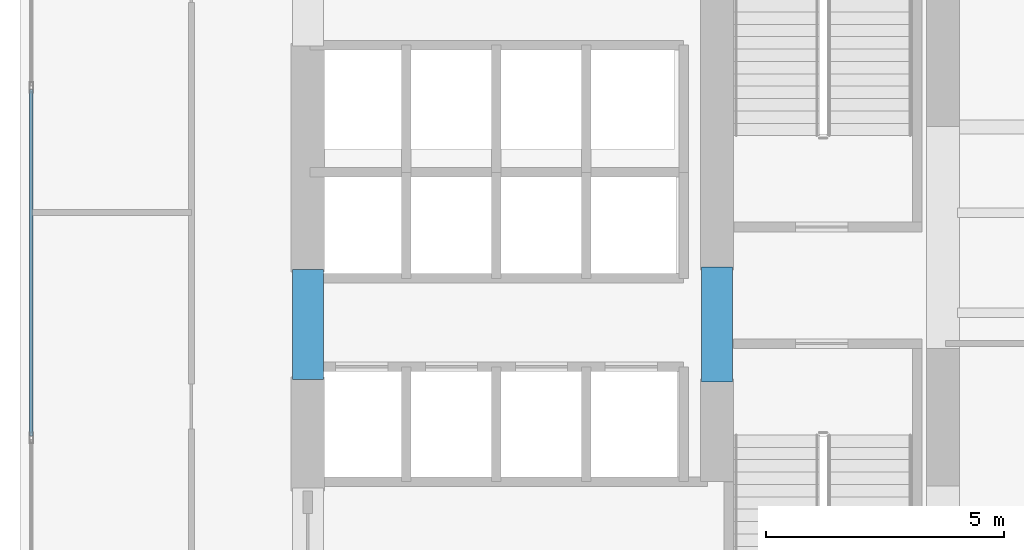
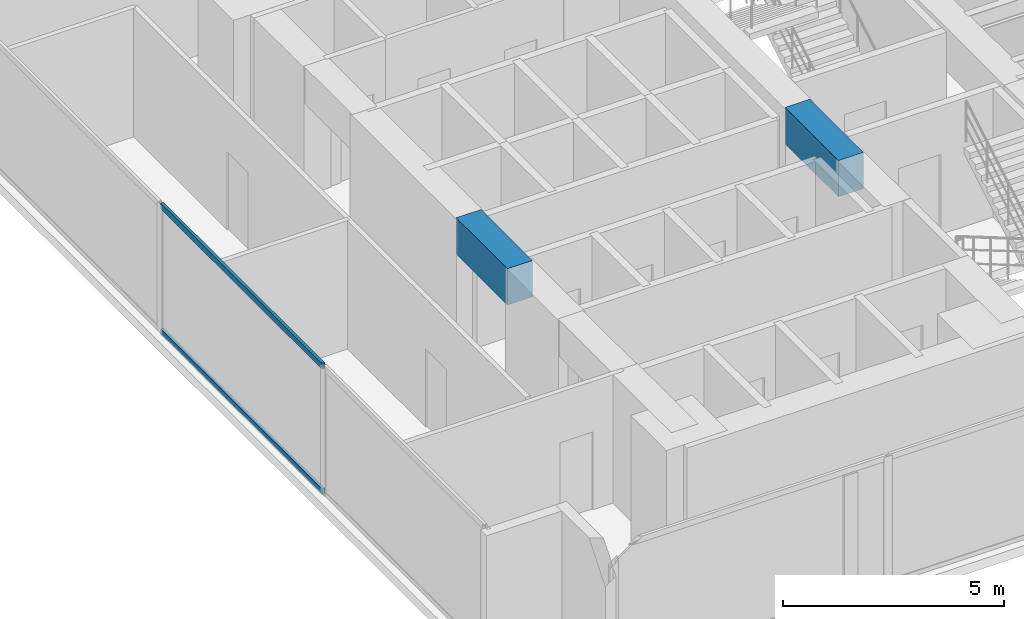
# One storey, part 3 of 29: 2 beams, 2 members, 1 element without a shape of its own.
"""IFC4 building model written with IfcOpenShell, lengths in metres."""

from ifc_helpers import new_model, si_unit, direction, frame, origin, origin_with_axes, origin_2d, place, context, subcontext, project, spatial, rectangle, hollow_rectangle, extrude, source, transform, mapped, material, layer, layer_set, material_profile, profile_set, type_object, element, aggregate, save


model = new_model("IFC4")

# Units and contexts
model_context = context("Model", 3, precision=1e-05, world=origin(), true_north=direction((0.0, 1.0)))
body_context = subcontext(model_context, "Body", "Model", "MODEL_VIEW")
ifc_project = project(units=[si_unit("LENGTHUNIT", "METRE"), si_unit("AREAUNIT", "SQUARE_METRE"), si_unit("VOLUMEUNIT", "CUBIC_METRE"), si_unit("PLANEANGLEUNIT", "RADIAN"), si_unit("MASSUNIT", "GRAM", prefix="KILO")], contexts=[model_context])

# Site, building, storey
site_placement = place(None, origin())
site = spatial("IfcSite", under=ifc_project, at=site_placement, CompositionType="ELEMENT")
building_placement = place(site_placement, origin())
building = spatial("IfcBuilding", under=site, at=building_placement, Name="Kolvaren Waterfront Exchange", CompositionType="ELEMENT")
storey_placement = place(building_placement, frame((0.0, 0.0, 37.199951171875)))
storey = spatial("IfcBuildingStorey", under=building, at=storey_placement, Name="L09", CompositionType="ELEMENT", Elevation=37.199951171875)

# Beams
ifc_material_1 = material(Name="Concrete C60/75", Category="concrete")
ifc_material_profile_1 = material_profile(ifc_material_1, rectangle(XDim=0.64990234375, YDim=1.0, at=origin_2d()), Name="RC-CB-1000x650")
ifc_profile_set_1 = profile_set([ifc_material_profile_1], Name="Concrete C60/75")
beam_type = type_object("IfcBeamType", Name="STR-CB-1000", PredefinedType="SPANDREL", material=ifc_profile_set_1)
beam_1_placement = place(storey_placement, frame((7.449951171875, 12.090087890625, 3.0400390625), z_axis=(0.0, 1.0, 0.0), x_axis=(-1.0, 0.0, 0.0)))
element("IfcBeam", 1, at=beam_1_placement, inside=storey, type_object=beam_type, Name="L09 core coupling beam 4", PredefinedType="SPANDREL", context=body_context, shape_type="SweptSolid", body=[
    extrude(rectangle(XDim=0.64990234375, YDim=1.0, at=origin_2d()), origin(), (0.0, 0.0, 1.0), 2.31982421875),
])
beam_2_placement = place(storey_placement, frame((16.050048828125, 12.0400390625, 3.0400390625), z_axis=(0.0, 1.0, 0.0), x_axis=(-1.0, 0.0, 0.0)))
element("IfcBeam", 2, at=beam_2_placement, inside=storey, type_object=beam_type, Name="L09 core coupling beam 6", PredefinedType="SPANDREL", context=body_context, shape_type="SweptSolid", body=[
    extrude(rectangle(XDim=0.64990234375, YDim=1.0, at=origin_2d()), origin(), (0.0, 0.0, 1.0), 2.419921875),
])

# Curtain wall, members
ifc_material_2 = material(Name="Anodised aluminium 6063-T6", Category="aluminium")
ifc_layer = layer(ifc_material_2, 0.219970703125, Name="Anodised aluminium 6063-T6")
ifc_layer_set = layer_set([ifc_layer], Name="Anodised aluminium 6063-T6")
curtain_wall_type = type_object("IfcCurtainWallType", Name="ARC-CW-SYS2", PredefinedType="USERDEFINED", material=ifc_layer_set)
curtain_wall_placement = place(storey_placement, origin())
curtain_wall = element("IfcCurtainWall", 3, at=curtain_wall_placement, inside=storey, type_object=curtain_wall_type, Name="L09 stick curtain wall CW2 (CW-L09-W)", ObjectType="STICK CURTAIN WALL", PredefinedType="USERDEFINED")
ifc_material_profile_2 = material_profile(ifc_material_2, hollow_rectangle(XDim=0.074951171875, YDim=0.159912109375, WallThickness=0.00439453125, at=origin_2d()), Name="ALU-TRN-160x75x4.5")
ifc_profile_set_2 = profile_set([ifc_material_profile_2], Name="Anodised aluminium 6063-T6")
member_type = type_object("IfcMemberType", Name="ARC-CWT-160", PredefinedType="USERDEFINED", material=ifc_profile_set_2)
shared_shape = source(origin_with_axes(), body_context, "Body", "SweptSolid", [
    extrude(hollow_rectangle(XDim=0.074951171875, YDim=0.159912109375, WallThickness=0.00439453125, at=origin_2d()), origin(), (0.0, 0.0, 1.0), 7.28662109375),
])
member_1_placement = place(storey_placement, frame((1.639892578125, 10.90673828125, 0.03759765625), z_axis=(0.0, 1.0, 0.0), x_axis=(-1.0, 0.0, 0.0)))
member_1 = element("IfcMember", 4, at=member_1_placement, type_object=member_type, Name="CW2 transom 2.1", ObjectType="TRANSOM", PredefinedType="USERDEFINED", context=body_context, shape_type="MappedRepresentation", body=[
    mapped(shared_shape, transform((0.0, 0.0, 0.0), x_axis=(1.0, 0.0, 0.0), y_axis=(0.0, 1.0, 0.0), z_axis=(0.0, 0.0, 1.0), scale=1.0)),
])
member_2_placement = place(storey_placement, frame((1.639892578125, 10.90673828125, 3.50244140625), z_axis=(0.0, 1.0, 0.0), x_axis=(-1.0, 0.0, 0.0)))
member_2 = element("IfcMember", 5, at=member_2_placement, type_object=member_type, Name="CW2 transom 2.2", ObjectType="TRANSOM", PredefinedType="USERDEFINED", context=body_context, shape_type="MappedRepresentation", body=[
    mapped(shared_shape, transform((0.0, 0.0, 0.0), x_axis=(1.0, 0.0, 0.0), y_axis=(0.0, 1.0, 0.0), z_axis=(0.0, 0.0, 1.0), scale=1.0)),
])
aggregate(curtain_wall, [member_1, member_2])

save(model, "model.ifc")
